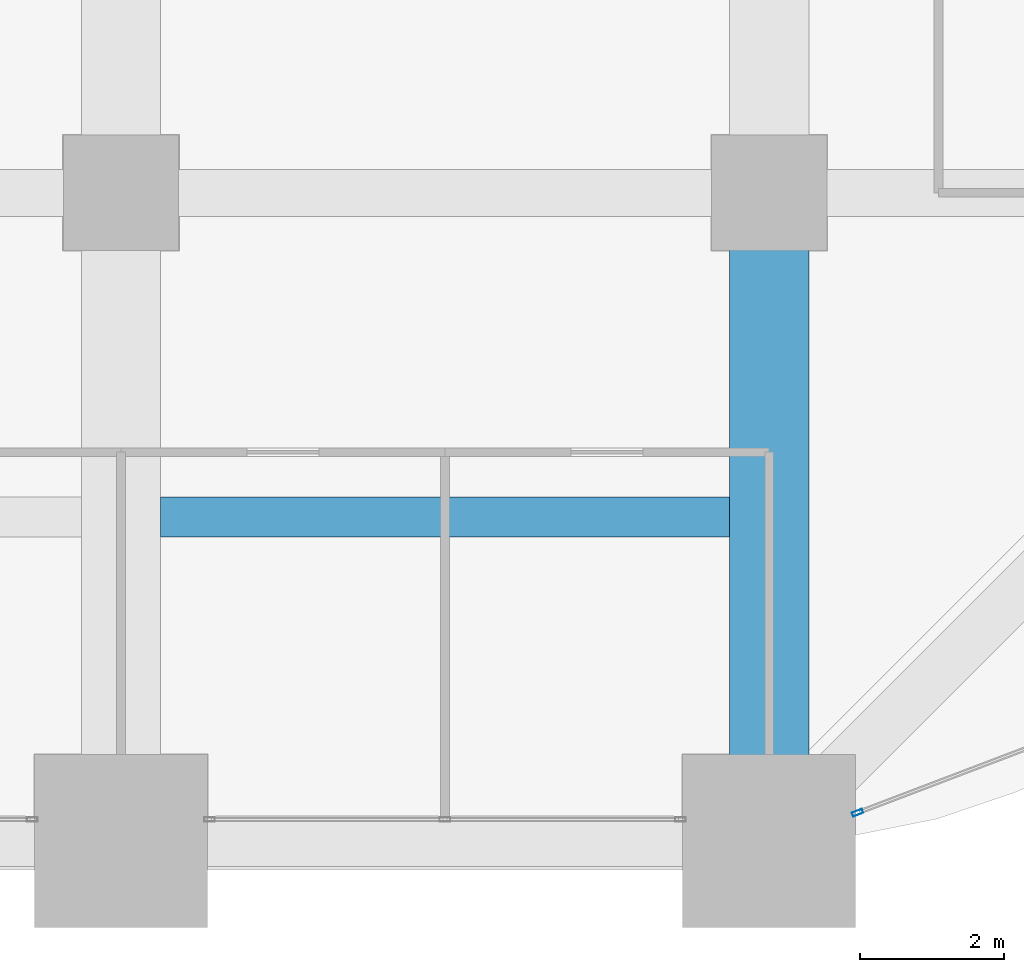
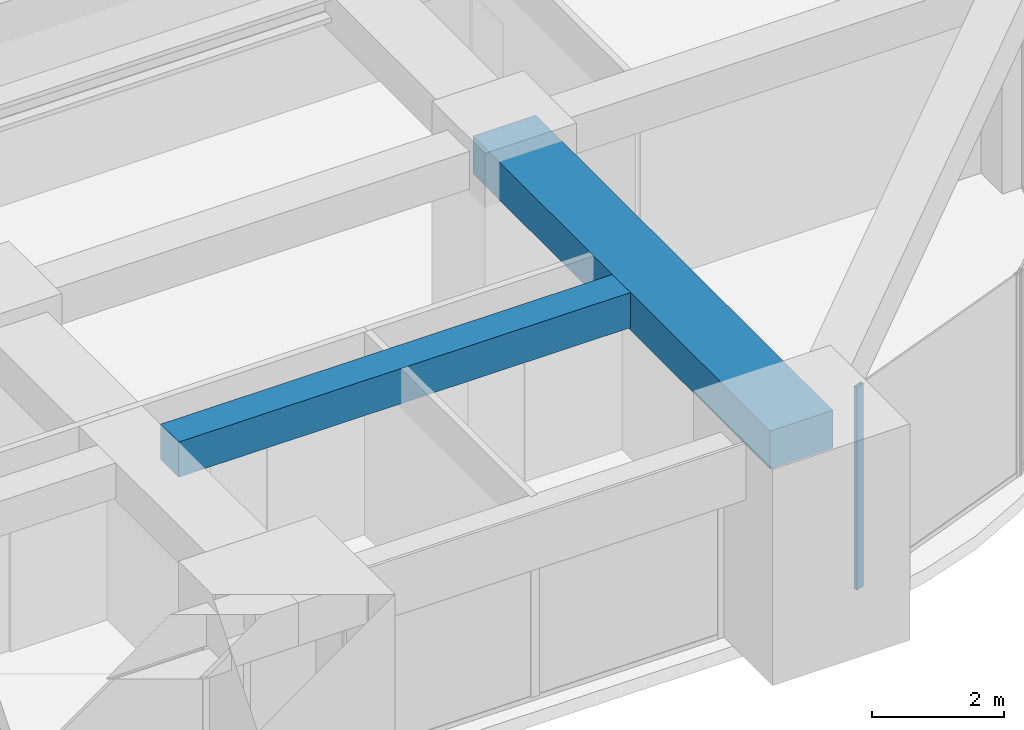
# One storey, part 14 of 32: 2 beams, 1 member, 1 element without a shape of its own.
"""IFC4 building model written with IfcOpenShell, lengths in metres."""

from ifc_helpers import new_model, si_unit, direction, frame, origin, origin_2d, place, context, subcontext, project, spatial, rectangle, hollow_rectangle, extrude, material, material_profile, profile_set, type_object, element, aggregate, save


model = new_model("IFC4")

# Units and contexts
model_context = context("Model", 3, precision=1e-05, world=origin(), true_north=direction((0.0, 1.0)))
body_context = subcontext(model_context, "Body", "Model", "MODEL_VIEW")
ifc_project = project(units=[si_unit("LENGTHUNIT", "METRE"), si_unit("AREAUNIT", "SQUARE_METRE"), si_unit("VOLUMEUNIT", "CUBIC_METRE"), si_unit("PLANEANGLEUNIT", "RADIAN"), si_unit("MASSUNIT", "GRAM", prefix="KILO")], contexts=[model_context])

# Site, building, storey
site_placement = place(None, origin())
site = spatial("IfcSite", under=ifc_project, at=site_placement, CompositionType="ELEMENT")
building_placement = place(site_placement, origin())
building = spatial("IfcBuilding", under=site, at=building_placement, Name="Zorevar Civic Tower", CompositionType="ELEMENT")
storey_placement = place(building_placement, frame((0.0, 0.0, 182.199951171875)))
storey = spatial("IfcBuildingStorey", under=building, at=storey_placement, Name="L44", CompositionType="ELEMENT", Elevation=182.199951171875)

# Beams
ifc_material_1 = material(Name="Concrete C50/60", Category="concrete")
ifc_material_profile_1 = material_profile(ifc_material_1, rectangle(XDim=1.10009765625, YDim=0.699951171875, at=origin_2d()), Name="RC 1100x700")
ifc_profile_set_1 = profile_set([ifc_material_profile_1], Name="Concrete C50/60")
beam_type_1 = type_object("IfcBeamType", Name="Beam RC 1100x700", PredefinedType="BEAM", material=ifc_profile_set_1)
beam_1_placement = place(storey_placement, frame((45.0, 0.0, 3.400146484375), z_axis=(0.0, 1.0, 0.0), x_axis=(-1.0, 0.0, 0.0)))
element("IfcBeam", 1, at=beam_1_placement, inside=storey, type_object=beam_type_1, Name="Girder L45", PredefinedType="BEAM", context=body_context, shape_type="SweptSolid", body=[
    extrude(rectangle(XDim=1.10009765625, YDim=0.699951171875, at=origin_2d()), origin(), (0.0, 0.0, 1.0), 9.0),
])
ifc_material_2 = material(Name="Concrete C50/60", Category="concrete")
ifc_material_profile_2 = material_profile(ifc_material_2, rectangle(XDim=0.550048828125, YDim=0.64990234375, at=origin_2d()), Name="RC 550x650")
ifc_profile_set_2 = profile_set([ifc_material_profile_2], Name="Concrete C50/60")
beam_type_2 = type_object("IfcBeamType", Name="Beam RC 550x650", PredefinedType="BEAM", material=ifc_profile_set_2)
beam_2_placement = place(storey_placement, frame((36.550048828125, 4.5, 3.425048828125), z_axis=(1.0, 0.0, 0.0), x_axis=(0.0, 1.0, 0.0)))
element("IfcBeam", 2, at=beam_2_placement, inside=storey, type_object=beam_type_2, Name="Secondary beam L45", PredefinedType="BEAM", context=body_context, shape_type="SweptSolid", body=[
    extrude(rectangle(XDim=0.550048828125, YDim=0.64990234375, at=origin_2d()), origin(), (0.0, 0.0, 1.0), 7.89990234375),
])

# Curtain wall, member
ifc_material_3 = material(Name="Dark grey solar-control glass in black aluminium frame", Category="aluminium")
curtain_wall_type = type_object("IfcCurtainWallType", Name="Curtain wall CW4 high zone", PredefinedType="NOTDEFINED", material=ifc_material_3)
curtain_wall_placement = place(storey_placement, origin())
curtain_wall = element("IfcCurtainWall", 3, at=curtain_wall_placement, inside=storey, type_object=curtain_wall_type, Name="CW4 L44", PredefinedType="NOTDEFINED")
ifc_material_4 = material(Name="Aluminium, black anodised", Category="aluminium")
ifc_material_profile_3 = material_profile(ifc_material_4, hollow_rectangle(XDim=0.06005859375, YDim=0.14990234375, WallThickness=0.00390625, at=origin_2d()), Name="AL 150x60x4")
ifc_profile_set_3 = profile_set([ifc_material_profile_3], Name="Aluminium, black anodised")
member_type = type_object("IfcMemberType", Name="CW4 mullion AL 150x60x4", PredefinedType="MULLION", material=ifc_profile_set_3)
member_placement = place(storey_placement, frame((46.22802734375, 0.393798828125, 0.0), z_axis=(0.0, 0.0, 1.0), x_axis=(-0.355730895803, 0.93458842801, 0.0)))
member = element("IfcMember", 4, at=member_placement, type_object=member_type, Name="CW4 mullion 1", PredefinedType="MULLION", context=body_context, shape_type="SweptSolid", body=[
    extrude(hollow_rectangle(XDim=0.06005859375, YDim=0.14990234375, WallThickness=0.00390625, at=origin_2d()), origin(), (0.0, 0.0, 1.0), 3.75),
])
aggregate(curtain_wall, [member])

save(model, "model.ifc")
